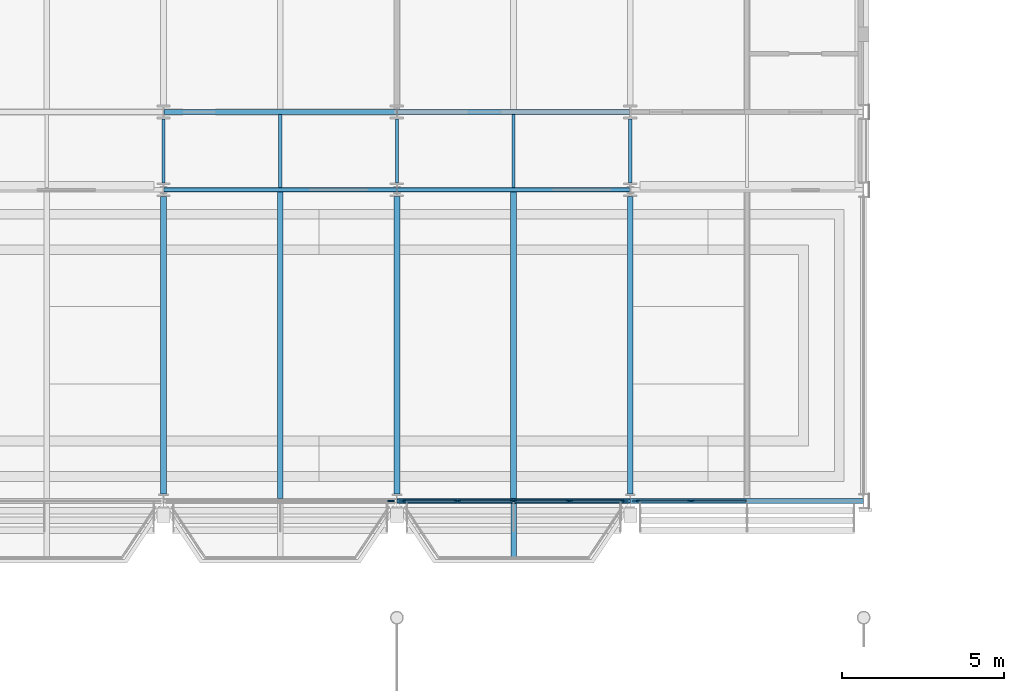
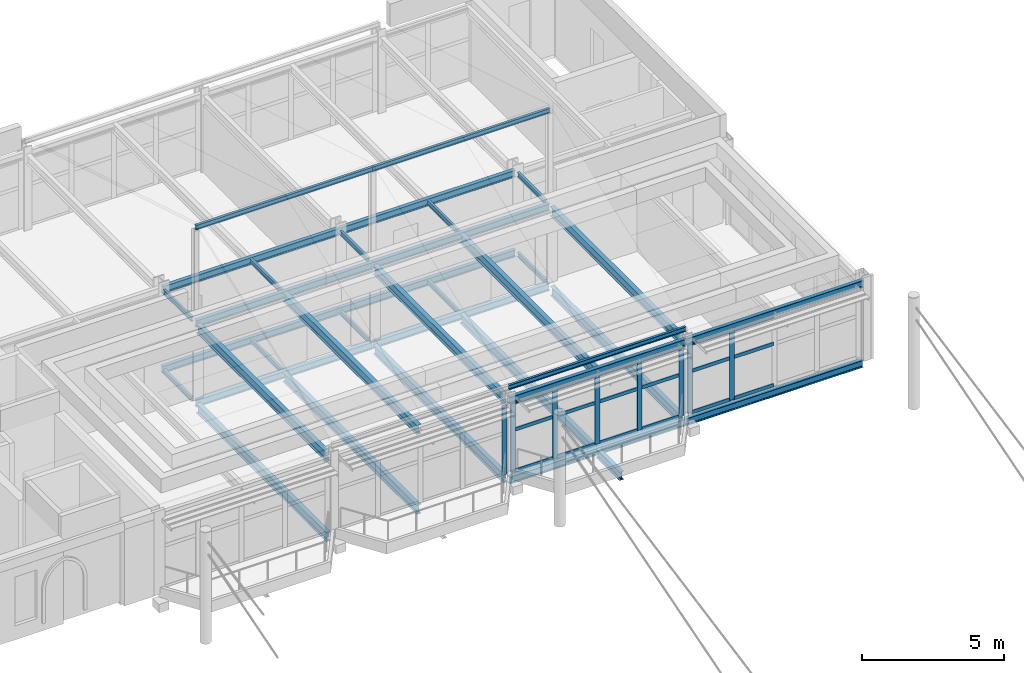
# One storey, part 34 of 68: 36 beams, 26 members, 3 elements without a shape of their own.
"""IFC4 building model written with IfcOpenShell, lengths in metres."""

from ifc_helpers import new_model, si_unit, direction, frame, origin, origin_2d, place, context, subcontext, project, spatial, rectangle, i_section, extrude, material, material_profile, profile_set, type_object, element, aggregate, save


model = new_model("IFC4")

# Units and contexts
model_context = context("Model", 3, precision=1e-05, world=origin(), true_north=direction((0.0, 1.0)))
body_context = subcontext(model_context, "Body", "Model", "MODEL_VIEW")
ifc_project = project(units=[si_unit("LENGTHUNIT", "METRE"), si_unit("AREAUNIT", "SQUARE_METRE"), si_unit("VOLUMEUNIT", "CUBIC_METRE"), si_unit("PLANEANGLEUNIT", "RADIAN"), si_unit("MASSUNIT", "GRAM", prefix="KILO")], contexts=[model_context])

# Site, building, storey
site_placement = place(None, origin())
site = spatial("IfcSite", under=ifc_project, at=site_placement, CompositionType="ELEMENT")
building_placement = place(site_placement, origin())
building = spatial("IfcBuilding", under=site, at=building_placement, Name="Kupolbacken Congress Centre", CompositionType="ELEMENT")
storey_placement = place(building_placement, frame((0.0, 0.0, 25.199951171875)))
storey = spatial("IfcBuildingStorey", under=building, at=storey_placement, Name="L07", CompositionType="ELEMENT", Elevation=25.199951171875)

# Beams
ifc_material_1 = material(Name="Steel S355", Category="steel")
ifc_material_profile_1 = material_profile(ifc_material_1, i_section(OverallWidth=0.10009765625, OverallDepth=0.199951171875, WebThickness=0.005615234375, FlangeThickness=0.008544921875, FilletRadius=0.011962890625, at=origin_2d()), Name="IPE 200")
ifc_profile_set_1 = profile_set([ifc_material_profile_1], Name="Steel S355")
beam_type_1 = type_object("IfcBeamType", Name="B01 beam IPE 200", PredefinedType="BEAM", material=ifc_profile_set_1)
beam_1_placement = place(storey_placement, frame((115.199951171875, 132.21240234375, -0.239990234375), z_axis=(0.0, 1.0, 0.0), x_axis=(-1.0, 0.0, 0.0)))
element("IfcBeam", 1, at=beam_1_placement, inside=storey, type_object=beam_type_1, Name="S/floor/T/L07/S061", PredefinedType="BEAM", context=body_context, shape_type="SweptSolid", body=[
    extrude(i_section(OverallWidth=0.10009765625, OverallDepth=0.199951171875, WebThickness=0.005615234375, FlangeThickness=0.008544921875, FilletRadius=0.011962890625, at=origin_2d()), origin(), (0.0, 0.0, 1.0), 1.97509765625),
])
beam_2_placement = place(storey_placement, frame((118.800048828125, 132.074951171875, -0.239990234375), z_axis=(0.0, 1.0, 0.0), x_axis=(-1.0, 0.0, 0.0)))
element("IfcBeam", 2, at=beam_2_placement, inside=storey, type_object=beam_type_1, Name="S/floor/T/L07/S064", PredefinedType="BEAM", context=body_context, shape_type="SweptSolid", body=[
    extrude(i_section(OverallWidth=0.10009765625, OverallDepth=0.199951171875, WebThickness=0.005615234375, FlangeThickness=0.008544921875, FilletRadius=0.011962890625, at=origin_2d()), origin(), (0.0, 0.0, 1.0), 2.25),
])
beam_3_placement = place(storey_placement, frame((122.39990234375, 132.21240234375, -0.239990234375), z_axis=(0.0, 1.0, 0.0), x_axis=(-1.0, 0.0, 0.0)))
element("IfcBeam", 3, at=beam_3_placement, inside=storey, type_object=beam_type_1, Name="S/floor/T/L07/S067", PredefinedType="BEAM", context=body_context, shape_type="SweptSolid", body=[
    extrude(i_section(OverallWidth=0.10009765625, OverallDepth=0.199951171875, WebThickness=0.005615234375, FlangeThickness=0.008544921875, FilletRadius=0.011962890625, at=origin_2d()), origin(), (0.0, 0.0, 1.0), 1.97509765625),
])
beam_4_placement = place(storey_placement, frame((126.0, 132.074951171875, -0.239990234375), z_axis=(0.0, 1.0, 0.0), x_axis=(-1.0, 0.0, 0.0)))
element("IfcBeam", 4, at=beam_4_placement, inside=storey, type_object=beam_type_1, Name="S/floor/T/L07/S070", PredefinedType="BEAM", context=body_context, shape_type="SweptSolid", body=[
    extrude(i_section(OverallWidth=0.10009765625, OverallDepth=0.199951171875, WebThickness=0.005615234375, FlangeThickness=0.008544921875, FilletRadius=0.011962890625, at=origin_2d()), origin(), (0.0, 0.0, 1.0), 2.25),
])
for number, where, z_axis, x_axis, name in (
    (5, (129.60009765625, 132.21240234375, -0.239990234375), (0.0, 1.0, 0.0), (-1.0, 0.0, 0.0), "S/floor/T/L07/S073"),
    (6, (115.199951171875, 132.21240234375, 3.18994140625), (0.0, 1.0, 0.0), (-1.0, 0.0, 0.0), "S/floor/T/ROOF/S061"),
):
    element("IfcBeam", number, at=place(storey_placement, frame(where, z_axis=z_axis, x_axis=x_axis)), inside=storey, type_object=beam_type_1, Name=name, PredefinedType="BEAM", context=body_context, shape_type="SweptSolid", body=[
        extrude(i_section(OverallWidth=0.10009765625, OverallDepth=0.199951171875, WebThickness=0.005615234375, FlangeThickness=0.008544921875, FilletRadius=0.011962890625, at=origin_2d()), origin(), (0.0, 0.0, 1.0), 1.97509765625),
    ])
beam_5_placement = place(storey_placement, frame((118.800048828125, 132.074951171875, 3.18994140625), z_axis=(0.0, 1.0, 0.0), x_axis=(-1.0, 0.0, 0.0)))
element("IfcBeam", 7, at=beam_5_placement, inside=storey, type_object=beam_type_1, Name="S/floor/T/ROOF/S064", PredefinedType="BEAM", context=body_context, shape_type="SweptSolid", body=[
    extrude(i_section(OverallWidth=0.10009765625, OverallDepth=0.199951171875, WebThickness=0.005615234375, FlangeThickness=0.008544921875, FilletRadius=0.011962890625, at=origin_2d()), origin(), (0.0, 0.0, 1.0), 2.25),
])
beam_6_placement = place(storey_placement, frame((122.39990234375, 132.21240234375, 3.18994140625), z_axis=(0.0, 1.0, 0.0), x_axis=(-1.0, 0.0, 0.0)))
element("IfcBeam", 8, at=beam_6_placement, inside=storey, type_object=beam_type_1, Name="S/floor/T/ROOF/S067", PredefinedType="BEAM", context=body_context, shape_type="SweptSolid", body=[
    extrude(i_section(OverallWidth=0.10009765625, OverallDepth=0.199951171875, WebThickness=0.005615234375, FlangeThickness=0.008544921875, FilletRadius=0.011962890625, at=origin_2d()), origin(), (0.0, 0.0, 1.0), 1.97509765625),
])
beam_7_placement = place(storey_placement, frame((126.0, 132.074951171875, 3.18994140625), z_axis=(0.0, 1.0, 0.0), x_axis=(-1.0, 0.0, 0.0)))
element("IfcBeam", 9, at=beam_7_placement, inside=storey, type_object=beam_type_1, Name="S/floor/T/ROOF/S070", PredefinedType="BEAM", context=body_context, shape_type="SweptSolid", body=[
    extrude(i_section(OverallWidth=0.10009765625, OverallDepth=0.199951171875, WebThickness=0.005615234375, FlangeThickness=0.008544921875, FilletRadius=0.011962890625, at=origin_2d()), origin(), (0.0, 0.0, 1.0), 2.25),
])
beam_8_placement = place(storey_placement, frame((129.60009765625, 132.21240234375, 3.18994140625), z_axis=(0.0, 1.0, 0.0), x_axis=(-1.0, 0.0, 0.0)))
element("IfcBeam", 10, at=beam_8_placement, inside=storey, type_object=beam_type_1, Name="S/floor/T/ROOF/S073", PredefinedType="BEAM", context=body_context, shape_type="SweptSolid", body=[
    extrude(i_section(OverallWidth=0.10009765625, OverallDepth=0.199951171875, WebThickness=0.005615234375, FlangeThickness=0.008544921875, FilletRadius=0.011962890625, at=origin_2d()), origin(), (0.0, 0.0, 1.0), 1.97509765625),
])
beam_9_placement = place(storey_placement, frame((115.199951171875, 132.0, 7.27294921875), z_axis=(1.0, 0.0, 0.0), x_axis=(0.0, 1.0, 0.0)))
element("IfcBeam", 11, at=beam_9_placement, inside=storey, type_object=beam_type_1, Name="E/T/roof/R2/ridge0", PredefinedType="BEAM", context=body_context, shape_type="SweptSolid", body=[
    extrude(i_section(OverallWidth=0.10009765625, OverallDepth=0.199951171875, WebThickness=0.005615234375, FlangeThickness=0.008544921875, FilletRadius=0.011962890625, at=origin_2d()), origin(), (0.0, 0.0, 1.0), 7.199951171875),
])
for number, where, z_axis, x_axis, name in (
    (12, (122.39990234375, 122.39990234375, 3.699951171875), (1.0, 0.0, 0.0), (0.0, 1.0, 0.0), "E/T/roof/R2/low1"),
    (13, (122.39990234375, 132.0, 7.27294921875), (1.0, 0.0, 0.0), (0.0, 1.0, 0.0), "E/T/roof/R2/ridge1"),
):
    element("IfcBeam", number, at=place(storey_placement, frame(where, z_axis=z_axis, x_axis=x_axis)), inside=storey, type_object=beam_type_1, Name=name, PredefinedType="BEAM", context=body_context, shape_type="SweptSolid", body=[
        extrude(i_section(OverallWidth=0.10009765625, OverallDepth=0.199951171875, WebThickness=0.005615234375, FlangeThickness=0.008544921875, FilletRadius=0.011962890625, at=origin_2d()), origin(), (0.0, 0.0, 1.0), 7.2001953125),
    ])
ifc_material_2 = material(Name="Steel S355", Category="steel")
ifc_material_profile_2 = material_profile(ifc_material_2, i_section(OverallWidth=0.14990234375, OverallDepth=0.300048828125, WebThickness=0.007080078125, FlangeThickness=0.0107421875, FilletRadius=0.014892578125, at=origin_2d()), Name="IPE 300")
ifc_profile_set_2 = profile_set([ifc_material_profile_2], Name="Steel S355")
beam_type_2 = type_object("IfcBeamType", Name="B04 beam IPE 300", PredefinedType="BEAM", material=ifc_profile_set_2)
beam_10_placement = place(storey_placement, frame((122.410400390625, 122.39990234375, -0.2900390625), z_axis=(1.0, 0.0, 0.0), x_axis=(0.0, 1.0, 0.0)))
element("IfcBeam", 14, at=beam_10_placement, inside=storey, type_object=beam_type_2, Name="S/floor/T/L07/R007", PredefinedType="BEAM", context=body_context, shape_type="SweptSolid", body=[
    extrude(i_section(OverallWidth=0.14990234375, OverallDepth=0.300048828125, WebThickness=0.007080078125, FlangeThickness=0.0107421875, FilletRadius=0.014892578125, at=origin_2d()), origin(), (0.0, 0.0, 1.0), 7.17919921875),
])
beam_11_placement = place(storey_placement, frame((129.610595703125, 122.39990234375, -0.2900390625), z_axis=(1.0, 0.0, 0.0), x_axis=(0.0, 1.0, 0.0)))
element("IfcBeam", 15, at=beam_11_placement, inside=storey, type_object=beam_type_2, Name="S/floor/T/L07/R008", PredefinedType="BEAM", context=body_context, shape_type="SweptSolid", body=[
    extrude(i_section(OverallWidth=0.14990234375, OverallDepth=0.300048828125, WebThickness=0.007080078125, FlangeThickness=0.0107421875, FilletRadius=0.014892578125, at=origin_2d()), origin(), (0.0, 0.0, 1.0), 7.182373046875),
])
beam_12_placement = place(storey_placement, frame((115.21630859375, 132.0, -0.2900390625), z_axis=(1.0, 0.0, 0.0), x_axis=(0.0, 1.0, 0.0)))
element("IfcBeam", 16, at=beam_12_placement, inside=storey, type_object=beam_type_2, Name="S/floor/T/L07/R014", PredefinedType="BEAM", context=body_context, shape_type="SweptSolid", body=[
    extrude(i_section(OverallWidth=0.14990234375, OverallDepth=0.300048828125, WebThickness=0.007080078125, FlangeThickness=0.0107421875, FilletRadius=0.014892578125, at=origin_2d()), origin(), (0.0, 0.0, 1.0), 7.167236328125),
])
beam_13_placement = place(storey_placement, frame((122.41650390625, 132.0, -0.2900390625), z_axis=(1.0, 0.0, 0.0), x_axis=(0.0, 1.0, 0.0)))
element("IfcBeam", 17, at=beam_13_placement, inside=storey, type_object=beam_type_2, Name="S/floor/T/L07/R015", PredefinedType="BEAM", context=body_context, shape_type="SweptSolid", body=[
    extrude(i_section(OverallWidth=0.14990234375, OverallDepth=0.300048828125, WebThickness=0.007080078125, FlangeThickness=0.0107421875, FilletRadius=0.014892578125, at=origin_2d()), origin(), (0.0, 0.0, 1.0), 7.1669921875),
])
beam_14_placement = place(storey_placement, frame((115.21630859375, 134.39990234375, -0.2900390625), z_axis=(1.0, 0.0, 0.0), x_axis=(0.0, 1.0, 0.0)))
element("IfcBeam", 18, at=beam_14_placement, inside=storey, type_object=beam_type_2, Name="S/floor/T/L07/R022", PredefinedType="BEAM", context=body_context, shape_type="SweptSolid", body=[
    extrude(i_section(OverallWidth=0.14990234375, OverallDepth=0.300048828125, WebThickness=0.007080078125, FlangeThickness=0.0107421875, FilletRadius=0.014892578125, at=origin_2d()), origin(), (0.0, 0.0, 1.0), 7.167236328125),
])
beam_15_placement = place(storey_placement, frame((122.41650390625, 134.39990234375, -0.2900390625), z_axis=(1.0, 0.0, 0.0), x_axis=(0.0, 1.0, 0.0)))
element("IfcBeam", 19, at=beam_15_placement, inside=storey, type_object=beam_type_2, Name="S/floor/T/L07/R023", PredefinedType="BEAM", context=body_context, shape_type="SweptSolid", body=[
    extrude(i_section(OverallWidth=0.14990234375, OverallDepth=0.300048828125, WebThickness=0.007080078125, FlangeThickness=0.0107421875, FilletRadius=0.014892578125, at=origin_2d()), origin(), (0.0, 0.0, 1.0), 7.1669921875),
])
beam_16_placement = place(storey_placement, frame((122.410400390625, 122.39990234375, 3.14013671875), z_axis=(1.0, 0.0, 0.0), x_axis=(0.0, 1.0, 0.0)))
element("IfcBeam", 20, at=beam_16_placement, inside=storey, type_object=beam_type_2, Name="S/floor/T/ROOF/R007", PredefinedType="BEAM", context=body_context, shape_type="SweptSolid", body=[
    extrude(i_section(OverallWidth=0.14990234375, OverallDepth=0.300048828125, WebThickness=0.007080078125, FlangeThickness=0.0107421875, FilletRadius=0.014892578125, at=origin_2d()), origin(), (0.0, 0.0, 1.0), 7.17919921875),
])
beam_17_placement = place(storey_placement, frame((129.610595703125, 122.39990234375, 3.14013671875), z_axis=(1.0, 0.0, 0.0), x_axis=(0.0, 1.0, 0.0)))
element("IfcBeam", 21, at=beam_17_placement, inside=storey, type_object=beam_type_2, Name="S/floor/T/ROOF/R008", PredefinedType="BEAM", context=body_context, shape_type="SweptSolid", body=[
    extrude(i_section(OverallWidth=0.14990234375, OverallDepth=0.300048828125, WebThickness=0.007080078125, FlangeThickness=0.0107421875, FilletRadius=0.014892578125, at=origin_2d()), origin(), (0.0, 0.0, 1.0), 7.182373046875),
])
beam_18_placement = place(storey_placement, frame((115.21630859375, 132.0, 3.14013671875), z_axis=(1.0, 0.0, 0.0), x_axis=(0.0, 1.0, 0.0)))
element("IfcBeam", 22, at=beam_18_placement, inside=storey, type_object=beam_type_2, Name="S/floor/T/ROOF/R014", PredefinedType="BEAM", context=body_context, shape_type="SweptSolid", body=[
    extrude(i_section(OverallWidth=0.14990234375, OverallDepth=0.300048828125, WebThickness=0.007080078125, FlangeThickness=0.0107421875, FilletRadius=0.014892578125, at=origin_2d()), origin(), (0.0, 0.0, 1.0), 7.167236328125),
])
beam_19_placement = place(storey_placement, frame((122.41650390625, 132.0, 3.14013671875), z_axis=(1.0, 0.0, 0.0), x_axis=(0.0, 1.0, 0.0)))
element("IfcBeam", 23, at=beam_19_placement, inside=storey, type_object=beam_type_2, Name="S/floor/T/ROOF/R015", PredefinedType="BEAM", context=body_context, shape_type="SweptSolid", body=[
    extrude(i_section(OverallWidth=0.14990234375, OverallDepth=0.300048828125, WebThickness=0.007080078125, FlangeThickness=0.0107421875, FilletRadius=0.014892578125, at=origin_2d()), origin(), (0.0, 0.0, 1.0), 7.1669921875),
])
beam_20_placement = place(storey_placement, frame((115.21630859375, 134.39990234375, 3.14013671875), z_axis=(1.0, 0.0, 0.0), x_axis=(0.0, 1.0, 0.0)))
element("IfcBeam", 24, at=beam_20_placement, inside=storey, type_object=beam_type_2, Name="S/floor/T/ROOF/R022", PredefinedType="BEAM", context=body_context, shape_type="SweptSolid", body=[
    extrude(i_section(OverallWidth=0.14990234375, OverallDepth=0.300048828125, WebThickness=0.007080078125, FlangeThickness=0.0107421875, FilletRadius=0.014892578125, at=origin_2d()), origin(), (0.0, 0.0, 1.0), 7.167236328125),
])
beam_21_placement = place(storey_placement, frame((122.41650390625, 134.39990234375, 3.14013671875), z_axis=(1.0, 0.0, 0.0), x_axis=(0.0, 1.0, 0.0)))
element("IfcBeam", 25, at=beam_21_placement, inside=storey, type_object=beam_type_2, Name="S/floor/T/ROOF/R023", PredefinedType="BEAM", context=body_context, shape_type="SweptSolid", body=[
    extrude(i_section(OverallWidth=0.14990234375, OverallDepth=0.300048828125, WebThickness=0.007080078125, FlangeThickness=0.0107421875, FilletRadius=0.014892578125, at=origin_2d()), origin(), (0.0, 0.0, 1.0), 7.1669921875),
])
ifc_material_3 = material(Name="Steel S355", Category="steel")
ifc_material_profile_3 = material_profile(ifc_material_3, i_section(OverallWidth=0.169921875, OverallDepth=0.360107421875, WebThickness=0.008056640625, FlangeThickness=0.0126953125, FilletRadius=0.01806640625, at=origin_2d()), Name="IPE 360")
ifc_profile_set_3 = profile_set([ifc_material_profile_3], Name="Steel S355")
beam_type_3 = type_object("IfcBeamType", Name="B06 beam IPE 360", PredefinedType="BEAM", material=ifc_profile_set_3)
beam_22_placement = place(storey_placement, frame((126.0, 122.324951171875, -0.320068359375), z_axis=(0.0, -1.0, 0.0), x_axis=(1.0, 0.0, 0.0)))
element("IfcBeam", 26, at=beam_22_placement, inside=storey, type_object=beam_type_3, Name="S/floor/T/L07/C093", PredefinedType="BEAM", context=body_context, shape_type="SweptSolid", body=[
    extrude(i_section(OverallWidth=0.169921875, OverallDepth=0.360107421875, WebThickness=0.008056640625, FlangeThickness=0.0126953125, FilletRadius=0.01806640625, at=origin_2d()), origin(), (0.0, 0.0, 1.0), 1.6650390625),
])
ifc_material_4 = material(Name="Steel S355", Category="steel")
ifc_material_profile_4 = material_profile(ifc_material_4, i_section(OverallWidth=0.179931640625, OverallDepth=0.39990234375, WebThickness=0.008544921875, FlangeThickness=0.013427734375, FilletRadius=0.02099609375, at=origin_2d()), Name="IPE 400")
ifc_profile_set_4 = profile_set([ifc_material_profile_4], Name="Steel S355")
beam_type_4 = type_object("IfcBeamType", Name="B07 beam IPE 400", PredefinedType="BEAM", material=ifc_profile_set_4)
beam_23_placement = place(storey_placement, frame((115.199951171875, 122.615966796875, -0.33984375), z_axis=(0.0, 1.0, 0.0), x_axis=(-1.0, 0.0, 0.0)))
element("IfcBeam", 27, at=beam_23_placement, inside=storey, type_object=beam_type_4, Name="S/floor/T/L07/S060", PredefinedType="BEAM", context=body_context, shape_type="SweptSolid", body=[
    extrude(i_section(OverallWidth=0.179931640625, OverallDepth=0.39990234375, WebThickness=0.008544921875, FlangeThickness=0.013427734375, FilletRadius=0.02099609375, at=origin_2d()), origin(), (0.0, 0.0, 1.0), 9.171630859375),
])
beam_24_placement = place(storey_placement, frame((118.800048828125, 122.47509765625, -0.33984375), z_axis=(0.0, 1.0, 0.0), x_axis=(-1.0, 0.0, 0.0)))
element("IfcBeam", 28, at=beam_24_placement, inside=storey, type_object=beam_type_4, Name="S/floor/T/L07/S063", PredefinedType="BEAM", context=body_context, shape_type="SweptSolid", body=[
    extrude(i_section(OverallWidth=0.179931640625, OverallDepth=0.39990234375, WebThickness=0.008544921875, FlangeThickness=0.013427734375, FilletRadius=0.02099609375, at=origin_2d()), origin(), (0.0, 0.0, 1.0), 9.449951171875),
])
beam_25_placement = place(storey_placement, frame((122.39990234375, 122.615966796875, -0.33984375), z_axis=(0.0, 1.0, 0.0), x_axis=(-1.0, 0.0, 0.0)))
element("IfcBeam", 29, at=beam_25_placement, inside=storey, type_object=beam_type_4, Name="S/floor/T/L07/S066", PredefinedType="BEAM", context=body_context, shape_type="SweptSolid", body=[
    extrude(i_section(OverallWidth=0.179931640625, OverallDepth=0.39990234375, WebThickness=0.008544921875, FlangeThickness=0.013427734375, FilletRadius=0.02099609375, at=origin_2d()), origin(), (0.0, 0.0, 1.0), 9.171630859375),
])
beam_26_placement = place(storey_placement, frame((126.0, 122.47509765625, -0.33984375), z_axis=(0.0, 1.0, 0.0), x_axis=(-1.0, 0.0, 0.0)))
element("IfcBeam", 30, at=beam_26_placement, inside=storey, type_object=beam_type_4, Name="S/floor/T/L07/S069", PredefinedType="BEAM", context=body_context, shape_type="SweptSolid", body=[
    extrude(i_section(OverallWidth=0.179931640625, OverallDepth=0.39990234375, WebThickness=0.008544921875, FlangeThickness=0.013427734375, FilletRadius=0.02099609375, at=origin_2d()), origin(), (0.0, 0.0, 1.0), 9.449951171875),
])
for number, where, z_axis, x_axis, name in (
    (31, (129.60009765625, 122.615966796875, -0.33984375), (0.0, 1.0, 0.0), (-1.0, 0.0, 0.0), "S/floor/T/L07/S072"),
    (32, (115.199951171875, 122.615966796875, 3.090087890625), (0.0, 1.0, 0.0), (-1.0, 0.0, 0.0), "S/floor/T/ROOF/S060"),
):
    element("IfcBeam", number, at=place(storey_placement, frame(where, z_axis=z_axis, x_axis=x_axis)), inside=storey, type_object=beam_type_4, Name=name, PredefinedType="BEAM", context=body_context, shape_type="SweptSolid", body=[
        extrude(i_section(OverallWidth=0.179931640625, OverallDepth=0.39990234375, WebThickness=0.008544921875, FlangeThickness=0.013427734375, FilletRadius=0.02099609375, at=origin_2d()), origin(), (0.0, 0.0, 1.0), 9.171630859375),
    ])
beam_27_placement = place(storey_placement, frame((118.800048828125, 122.47509765625, 3.090087890625), z_axis=(0.0, 1.0, 0.0), x_axis=(-1.0, 0.0, 0.0)))
element("IfcBeam", 33, at=beam_27_placement, inside=storey, type_object=beam_type_4, Name="S/floor/T/ROOF/S063", PredefinedType="BEAM", context=body_context, shape_type="SweptSolid", body=[
    extrude(i_section(OverallWidth=0.179931640625, OverallDepth=0.39990234375, WebThickness=0.008544921875, FlangeThickness=0.013427734375, FilletRadius=0.02099609375, at=origin_2d()), origin(), (0.0, 0.0, 1.0), 9.449951171875),
])
beam_28_placement = place(storey_placement, frame((122.39990234375, 122.615966796875, 3.090087890625), z_axis=(0.0, 1.0, 0.0), x_axis=(-1.0, 0.0, 0.0)))
element("IfcBeam", 34, at=beam_28_placement, inside=storey, type_object=beam_type_4, Name="S/floor/T/ROOF/S066", PredefinedType="BEAM", context=body_context, shape_type="SweptSolid", body=[
    extrude(i_section(OverallWidth=0.179931640625, OverallDepth=0.39990234375, WebThickness=0.008544921875, FlangeThickness=0.013427734375, FilletRadius=0.02099609375, at=origin_2d()), origin(), (0.0, 0.0, 1.0), 9.171630859375),
])
beam_29_placement = place(storey_placement, frame((126.0, 122.47509765625, 3.090087890625), z_axis=(0.0, 1.0, 0.0), x_axis=(-1.0, 0.0, 0.0)))
element("IfcBeam", 35, at=beam_29_placement, inside=storey, type_object=beam_type_4, Name="S/floor/T/ROOF/S069", PredefinedType="BEAM", context=body_context, shape_type="SweptSolid", body=[
    extrude(i_section(OverallWidth=0.179931640625, OverallDepth=0.39990234375, WebThickness=0.008544921875, FlangeThickness=0.013427734375, FilletRadius=0.02099609375, at=origin_2d()), origin(), (0.0, 0.0, 1.0), 9.449951171875),
])
beam_30_placement = place(storey_placement, frame((129.60009765625, 122.615966796875, 3.090087890625), z_axis=(0.0, 1.0, 0.0), x_axis=(-1.0, 0.0, 0.0)))
element("IfcBeam", 36, at=beam_30_placement, inside=storey, type_object=beam_type_4, Name="S/floor/T/ROOF/S072", PredefinedType="BEAM", context=body_context, shape_type="SweptSolid", body=[
    extrude(i_section(OverallWidth=0.179931640625, OverallDepth=0.39990234375, WebThickness=0.008544921875, FlangeThickness=0.013427734375, FilletRadius=0.02099609375, at=origin_2d()), origin(), (0.0, 0.0, 1.0), 9.171630859375),
])

# Curtain wall, member
ifc_material_5 = material(Name="Aluminium mullion-transom frame with glass", Category="aluminium")
curtain_wall_type = type_object("IfcCurtainWallType", Name="CW1 curtain wall 7200x3600", PredefinedType="NOTDEFINED", material=ifc_material_5)
curtain_wall_1_placement = place(storey_placement, origin())
curtain_wall_1 = element("IfcCurtainWall", 37, at=curtain_wall_1_placement, inside=storey, type_object=curtain_wall_type, Name="E/T/S/L07/118/g0", PredefinedType="NOTDEFINED")
ifc_material_6 = material(Name="Aluminium alloy", Category="aluminium")
ifc_material_profile_5 = material_profile(ifc_material_6, rectangle(XDim=0.050048828125, YDim=0.199951171875, at=origin_2d()), Name="50 x 200")
ifc_profile_set_5 = profile_set([ifc_material_profile_5], Name="Aluminium alloy")
member_type_1 = type_object("IfcMemberType", Name="MU2 mullion 50x200", PredefinedType="MULLION", material=ifc_profile_set_5)
member_1_placement = place(storey_placement, frame((122.221435546875, 122.39990234375, 0.0), z_axis=(0.0, 0.0, 1.0), x_axis=(0.0, 1.0, 0.0)))
member_1 = element("IfcMember", 38, at=member_1_placement, type_object=member_type_1, Name="CW1 mullion 5", PredefinedType="MULLION", context=body_context, shape_type="SweptSolid", body=[
    extrude(rectangle(XDim=0.050048828125, YDim=0.199951171875, at=origin_2d()), origin(), (0.0, 0.0, 1.0), 2.989990234375),
])
aggregate(curtain_wall_1, [member_1])

# Curtain wall, members
curtain_wall_2_placement = place(storey_placement, origin())
curtain_wall_2 = element("IfcCurtainWall", 39, at=curtain_wall_2_placement, inside=storey, type_object=curtain_wall_type, Name="E/T/S/L07/119/g0", PredefinedType="NOTDEFINED")
member_2_placement = place(storey_placement, frame((122.57861328125, 122.39990234375, 0.0), z_axis=(0.0, 0.0, 1.0), x_axis=(0.0, 1.0, 0.0)))
member_2 = element("IfcMember", 40, at=member_2_placement, type_object=member_type_1, Name="CW1 mullion 1", PredefinedType="MULLION", context=body_context, shape_type="SweptSolid", body=[
    extrude(rectangle(XDim=0.050048828125, YDim=0.199951171875, at=origin_2d()), origin(), (0.0, 0.0, 1.0), 2.989990234375),
])
member_3_placement = place(storey_placement, frame((124.27685546875, 122.39990234375, 0.0), z_axis=(0.0, 0.0, 1.0), x_axis=(0.0, 1.0, 0.0)))
member_3 = element("IfcMember", 41, at=member_3_placement, type_object=member_type_1, Name="CW1 mullion 2", PredefinedType="MULLION", context=body_context, shape_type="SweptSolid", body=[
    extrude(rectangle(XDim=0.050048828125, YDim=0.199951171875, at=origin_2d()), origin(), (0.0, 0.0, 1.0), 2.989990234375),
])
member_4_placement = place(storey_placement, frame((126.0, 122.39990234375, 0.0), z_axis=(0.0, 0.0, 1.0), x_axis=(0.0, 1.0, 0.0)))
member_4 = element("IfcMember", 42, at=member_4_placement, type_object=member_type_1, Name="CW1 mullion 3", PredefinedType="MULLION", context=body_context, shape_type="SweptSolid", body=[
    extrude(rectangle(XDim=0.050048828125, YDim=0.199951171875, at=origin_2d()), origin(), (0.0, 0.0, 1.0), 2.989990234375),
])
member_5_placement = place(storey_placement, frame((127.72314453125, 122.39990234375, 0.0), z_axis=(0.0, 0.0, 1.0), x_axis=(0.0, 1.0, 0.0)))
member_5 = element("IfcMember", 43, at=member_5_placement, type_object=member_type_1, Name="CW1 mullion 4", PredefinedType="MULLION", context=body_context, shape_type="SweptSolid", body=[
    extrude(rectangle(XDim=0.050048828125, YDim=0.199951171875, at=origin_2d()), origin(), (0.0, 0.0, 1.0), 2.989990234375),
])
member_6_placement = place(storey_placement, frame((129.42138671875, 122.39990234375, 0.0), z_axis=(0.0, 0.0, 1.0), x_axis=(0.0, 1.0, 0.0)))
member_6 = element("IfcMember", 44, at=member_6_placement, type_object=member_type_1, Name="CW1 mullion 5", PredefinedType="MULLION", context=body_context, shape_type="SweptSolid", body=[
    extrude(rectangle(XDim=0.050048828125, YDim=0.199951171875, at=origin_2d()), origin(), (0.0, 0.0, 1.0), 2.989990234375),
])

curtain_wall_3_placement = place(storey_placement, origin())
curtain_wall_3 = element("IfcCurtainWall", 45, at=curtain_wall_3_placement, inside=storey, type_object=curtain_wall_type, Name="E/T/S/L07/120/g0", PredefinedType="NOTDEFINED")
member_7_placement = place(storey_placement, frame((129.778564453125, 122.39990234375, 0.0), z_axis=(0.0, 0.0, 1.0), x_axis=(0.0, 1.0, 0.0)))
member_7 = element("IfcMember", 46, at=member_7_placement, type_object=member_type_1, Name="CW1 mullion 1", PredefinedType="MULLION", context=body_context, shape_type="SweptSolid", body=[
    extrude(rectangle(XDim=0.050048828125, YDim=0.199951171875, at=origin_2d()), origin(), (0.0, 0.0, 1.0), 2.989990234375),
])
member_8_placement = place(storey_placement, frame((131.4775390625, 122.39990234375, 0.0), z_axis=(0.0, 0.0, 1.0), x_axis=(0.0, 1.0, 0.0)))
member_8 = element("IfcMember", 47, at=member_8_placement, type_object=member_type_1, Name="CW1 mullion 2", PredefinedType="MULLION", context=body_context, shape_type="SweptSolid", body=[
    extrude(rectangle(XDim=0.050048828125, YDim=0.199951171875, at=origin_2d()), origin(), (0.0, 0.0, 1.0), 2.989990234375),
])

# Member
ifc_material_7 = material(Name="Aluminium alloy", Category="aluminium")
ifc_material_profile_6 = material_profile(ifc_material_7, rectangle(XDim=0.050048828125, YDim=0.14990234375, at=origin_2d()), Name="50 x 150")
ifc_profile_set_6 = profile_set([ifc_material_profile_6], Name="Aluminium alloy")
member_type_2 = type_object("IfcMemberType", Name="TR2 transom 50x150", PredefinedType="MULLION", material=ifc_profile_set_6)
member_9_placement = place(storey_placement, frame((122.603515625, 122.39990234375, 0.025146484375), z_axis=(1.0, 0.0, 0.0), x_axis=(0.0, 1.0, 0.0)))
member_9 = element("IfcMember", 48, at=member_9_placement, type_object=member_type_2, Name="CW1 transom 1.1", PredefinedType="MULLION", context=body_context, shape_type="SweptSolid", body=[
    extrude(rectangle(XDim=0.050048828125, YDim=0.14990234375, at=origin_2d()), origin(), (0.0, 0.0, 1.0), 1.648193359375),
])

member_10_placement = place(storey_placement, frame((122.603515625, 122.39990234375, 1.800048828125), z_axis=(1.0, 0.0, 0.0), x_axis=(0.0, 1.0, 0.0)))
member_10 = element("IfcMember", 49, at=member_10_placement, type_object=member_type_2, Name="CW1 transom 1.2", PredefinedType="MULLION", context=body_context, shape_type="SweptSolid", body=[
    extrude(rectangle(XDim=0.050048828125, YDim=0.14990234375, at=origin_2d()), origin(), (0.0, 0.0, 1.0), 1.648193359375),
])

member_11_placement = place(storey_placement, frame((122.603515625, 122.39990234375, 2.965087890625), z_axis=(1.0, 0.0, 0.0), x_axis=(0.0, 1.0, 0.0)))
member_11 = element("IfcMember", 50, at=member_11_placement, type_object=member_type_2, Name="CW1 transom 1.3", PredefinedType="MULLION", context=body_context, shape_type="SweptSolid", body=[
    extrude(rectangle(XDim=0.050048828125, YDim=0.14990234375, at=origin_2d()), origin(), (0.0, 0.0, 1.0), 1.648193359375),
])

member_12_placement = place(storey_placement, frame((124.3017578125, 122.39990234375, 0.025146484375), z_axis=(1.0, 0.0, 0.0), x_axis=(0.0, 1.0, 0.0)))
member_12 = element("IfcMember", 51, at=member_12_placement, type_object=member_type_2, Name="CW1 transom 2.1", PredefinedType="MULLION", context=body_context, shape_type="SweptSolid", body=[
    extrude(rectangle(XDim=0.050048828125, YDim=0.14990234375, at=origin_2d()), origin(), (0.0, 0.0, 1.0), 1.67333984375),
])

member_13_placement = place(storey_placement, frame((124.3017578125, 122.39990234375, 1.800048828125), z_axis=(1.0, 0.0, 0.0), x_axis=(0.0, 1.0, 0.0)))
member_13 = element("IfcMember", 52, at=member_13_placement, type_object=member_type_2, Name="CW1 transom 2.2", PredefinedType="MULLION", context=body_context, shape_type="SweptSolid", body=[
    extrude(rectangle(XDim=0.050048828125, YDim=0.14990234375, at=origin_2d()), origin(), (0.0, 0.0, 1.0), 1.67333984375),
])

member_14_placement = place(storey_placement, frame((124.3017578125, 122.39990234375, 2.965087890625), z_axis=(1.0, 0.0, 0.0), x_axis=(0.0, 1.0, 0.0)))
member_14 = element("IfcMember", 53, at=member_14_placement, type_object=member_type_2, Name="CW1 transom 2.3", PredefinedType="MULLION", context=body_context, shape_type="SweptSolid", body=[
    extrude(rectangle(XDim=0.050048828125, YDim=0.14990234375, at=origin_2d()), origin(), (0.0, 0.0, 1.0), 1.67333984375),
])

member_15_placement = place(storey_placement, frame((126.02490234375, 122.39990234375, 0.025146484375), z_axis=(1.0, 0.0, 0.0), x_axis=(0.0, 1.0, 0.0)))
member_15 = element("IfcMember", 54, at=member_15_placement, type_object=member_type_2, Name="CW1 transom 3.1", PredefinedType="MULLION", context=body_context, shape_type="SweptSolid", body=[
    extrude(rectangle(XDim=0.050048828125, YDim=0.14990234375, at=origin_2d()), origin(), (0.0, 0.0, 1.0), 1.67333984375),
])

member_16_placement = place(storey_placement, frame((126.02490234375, 122.39990234375, 1.800048828125), z_axis=(1.0, 0.0, 0.0), x_axis=(0.0, 1.0, 0.0)))
member_16 = element("IfcMember", 55, at=member_16_placement, type_object=member_type_2, Name="CW1 transom 3.2", PredefinedType="MULLION", context=body_context, shape_type="SweptSolid", body=[
    extrude(rectangle(XDim=0.050048828125, YDim=0.14990234375, at=origin_2d()), origin(), (0.0, 0.0, 1.0), 1.67333984375),
])

member_17_placement = place(storey_placement, frame((126.02490234375, 122.39990234375, 2.965087890625), z_axis=(1.0, 0.0, 0.0), x_axis=(0.0, 1.0, 0.0)))
member_17 = element("IfcMember", 56, at=member_17_placement, type_object=member_type_2, Name="CW1 transom 3.3", PredefinedType="MULLION", context=body_context, shape_type="SweptSolid", body=[
    extrude(rectangle(XDim=0.050048828125, YDim=0.14990234375, at=origin_2d()), origin(), (0.0, 0.0, 1.0), 1.67333984375),
])

member_18_placement = place(storey_placement, frame((127.748291015625, 122.39990234375, 0.025146484375), z_axis=(1.0, 0.0, 0.0), x_axis=(0.0, 1.0, 0.0)))
member_18 = element("IfcMember", 57, at=member_18_placement, type_object=member_type_2, Name="CW1 transom 4.1", PredefinedType="MULLION", context=body_context, shape_type="SweptSolid", body=[
    extrude(rectangle(XDim=0.050048828125, YDim=0.14990234375, at=origin_2d()), origin(), (0.0, 0.0, 1.0), 1.648193359375),
])

member_19_placement = place(storey_placement, frame((127.748291015625, 122.39990234375, 1.800048828125), z_axis=(1.0, 0.0, 0.0), x_axis=(0.0, 1.0, 0.0)))
member_19 = element("IfcMember", 58, at=member_19_placement, type_object=member_type_2, Name="CW1 transom 4.2", PredefinedType="MULLION", context=body_context, shape_type="SweptSolid", body=[
    extrude(rectangle(XDim=0.050048828125, YDim=0.14990234375, at=origin_2d()), origin(), (0.0, 0.0, 1.0), 1.648193359375),
])

member_20_placement = place(storey_placement, frame((127.748291015625, 122.39990234375, 2.965087890625), z_axis=(1.0, 0.0, 0.0), x_axis=(0.0, 1.0, 0.0)))
member_20 = element("IfcMember", 59, at=member_20_placement, type_object=member_type_2, Name="CW1 transom 4.3", PredefinedType="MULLION", context=body_context, shape_type="SweptSolid", body=[
    extrude(rectangle(XDim=0.050048828125, YDim=0.14990234375, at=origin_2d()), origin(), (0.0, 0.0, 1.0), 1.648193359375),
])

aggregate(curtain_wall_2, [member_2, member_3, member_4, member_5, member_6, member_9, member_10, member_11, member_12, member_13, member_14, member_15, member_16, member_17, member_18, member_19, member_20])

member_21_placement = place(storey_placement, frame((129.803466796875, 122.39990234375, 0.025146484375), z_axis=(1.0, 0.0, 0.0), x_axis=(0.0, 1.0, 0.0)))
member_21 = element("IfcMember", 60, at=member_21_placement, type_object=member_type_2, Name="CW1 transom 1.1", PredefinedType="MULLION", context=body_context, shape_type="SweptSolid", body=[
    extrude(rectangle(XDim=0.050048828125, YDim=0.14990234375, at=origin_2d()), origin(), (0.0, 0.0, 1.0), 1.649169921875),
])

member_22_placement = place(storey_placement, frame((129.803466796875, 122.39990234375, 1.800048828125), z_axis=(1.0, 0.0, 0.0), x_axis=(0.0, 1.0, 0.0)))
member_22 = element("IfcMember", 61, at=member_22_placement, type_object=member_type_2, Name="CW1 transom 1.2", PredefinedType="MULLION", context=body_context, shape_type="SweptSolid", body=[
    extrude(rectangle(XDim=0.050048828125, YDim=0.14990234375, at=origin_2d()), origin(), (0.0, 0.0, 1.0), 1.649169921875),
])

member_23_placement = place(storey_placement, frame((129.803466796875, 122.39990234375, 2.965087890625), z_axis=(1.0, 0.0, 0.0), x_axis=(0.0, 1.0, 0.0)))
member_23 = element("IfcMember", 62, at=member_23_placement, type_object=member_type_2, Name="CW1 transom 1.3", PredefinedType="MULLION", context=body_context, shape_type="SweptSolid", body=[
    extrude(rectangle(XDim=0.050048828125, YDim=0.14990234375, at=origin_2d()), origin(), (0.0, 0.0, 1.0), 1.649169921875),
])

member_24_placement = place(storey_placement, frame((131.502685546875, 122.39990234375, 0.025146484375), z_axis=(1.0, 0.0, 0.0), x_axis=(0.0, 1.0, 0.0)))
member_24 = element("IfcMember", 63, at=member_24_placement, type_object=member_type_2, Name="CW1 transom 2.1", PredefinedType="MULLION", context=body_context, shape_type="SweptSolid", body=[
    extrude(rectangle(XDim=0.050048828125, YDim=0.14990234375, at=origin_2d()), origin(), (0.0, 0.0, 1.0), 1.674072265625),
])

member_25_placement = place(storey_placement, frame((131.502685546875, 122.39990234375, 1.800048828125), z_axis=(1.0, 0.0, 0.0), x_axis=(0.0, 1.0, 0.0)))
member_25 = element("IfcMember", 64, at=member_25_placement, type_object=member_type_2, Name="CW1 transom 2.2", PredefinedType="MULLION", context=body_context, shape_type="SweptSolid", body=[
    extrude(rectangle(XDim=0.050048828125, YDim=0.14990234375, at=origin_2d()), origin(), (0.0, 0.0, 1.0), 1.674072265625),
])

member_26_placement = place(storey_placement, frame((131.502685546875, 122.39990234375, 2.965087890625), z_axis=(1.0, 0.0, 0.0), x_axis=(0.0, 1.0, 0.0)))
member_26 = element("IfcMember", 65, at=member_26_placement, type_object=member_type_2, Name="CW1 transom 2.3", PredefinedType="MULLION", context=body_context, shape_type="SweptSolid", body=[
    extrude(rectangle(XDim=0.050048828125, YDim=0.14990234375, at=origin_2d()), origin(), (0.0, 0.0, 1.0), 1.674072265625),
])

aggregate(curtain_wall_3, [member_7, member_8, member_21, member_22, member_23, member_24, member_25, member_26])

save(model, "model.ifc")
